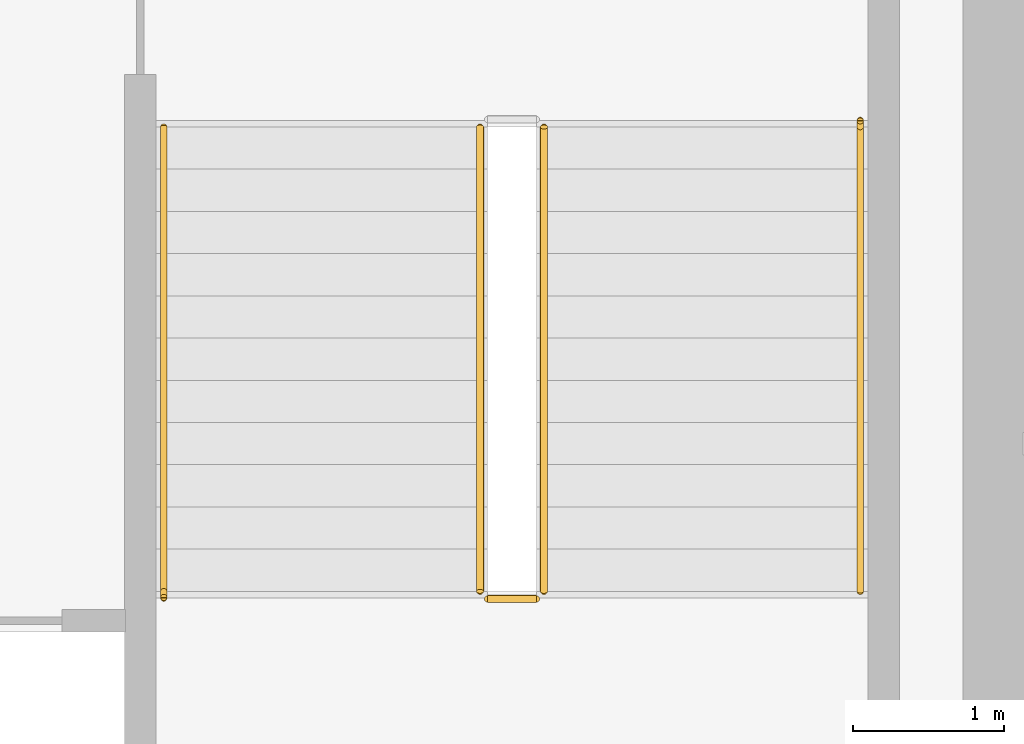
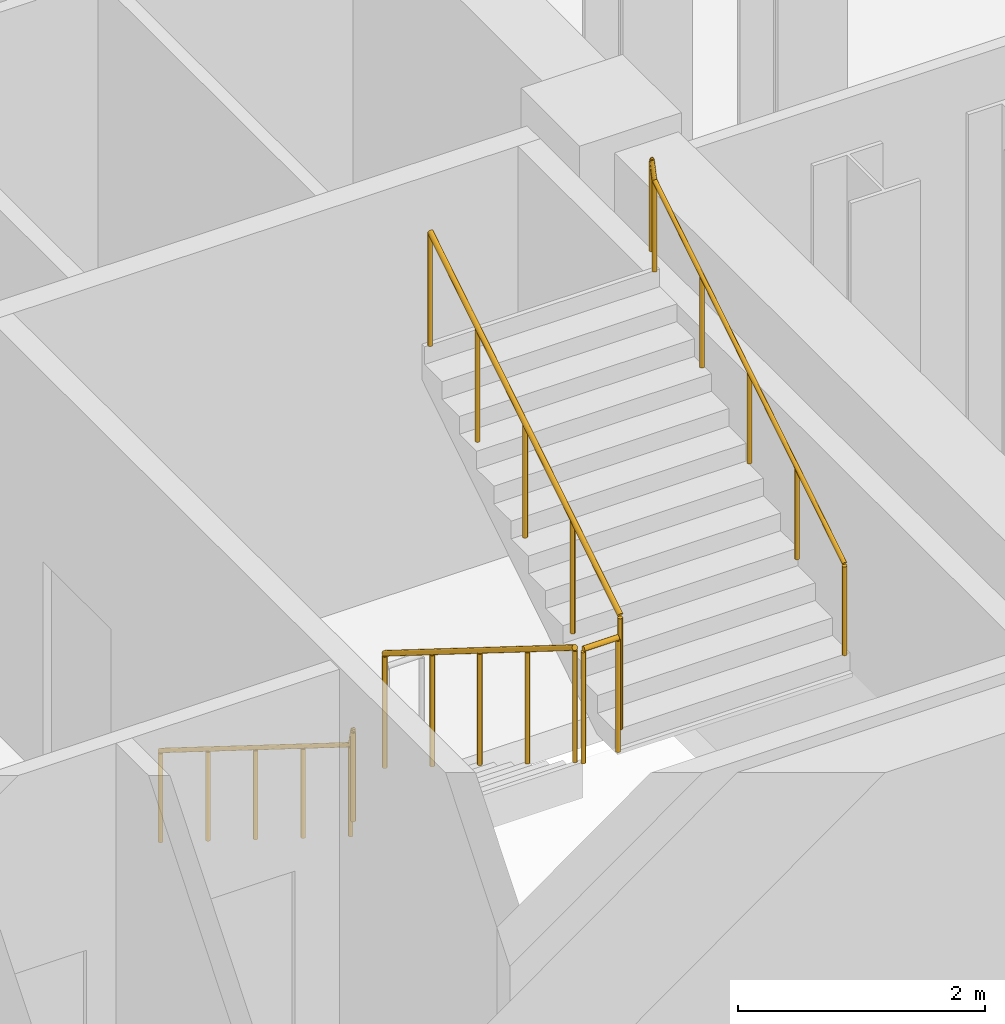
# One storey, part 11 of 14: 5 railings.
"""IFC4 building model written with IfcOpenShell, lengths in metres."""

import ifcopenshell
import ifcopenshell.guid

model = None  # the IFC model being written
_history = None  # IfcOwnerHistory: only IFC2X3 demands one
_inside = {}  # id of a spatial element -> (the spatial element, [elements in it])
_under = {}  # id of a project, library or spatial element -> (it, [spatial elements below it])
_declared = {}  # id of a project -> (the project, [libraries it declares])
_typed = {}  # id of a type object -> (the type object, [elements of that type])
_made_of = {}  # id of a material, layer set ... -> (it, [elements and type objects made of it])


def new_model(schema):
    """Start an empty IFC model of exactly this schema.

    Asked for "IFC4X3", IfcOpenShell would pick the latest addendum, in which some entities
    have other attributes; the version numbers below select the first issue.
    IFC2X3 requires an IfcOwnerHistory on every rooted entity: one is made here for all.
    """
    global model, _history
    if schema == "IFC4X3":
        model = ifcopenshell.file(schema_version=(4, 3, 0, 0))
    else:
        model = ifcopenshell.file(schema=schema)
    _inside.clear()
    _under.clear()
    _declared.clear()
    _typed.clear()
    _made_of.clear()
    _history = None
    if model.schema == "IFC2X3":
        org = make("IfcOrganization", Name="unknown")
        user = make(
            "IfcPersonAndOrganization",
            ThePerson=make("IfcPerson", FamilyName="unknown"),
            TheOrganization=org,
        )
        app = make(
            "IfcApplication",
            ApplicationDeveloper=org,
            Version="unknown",
            ApplicationFullName="unknown",
            ApplicationIdentifier="unknown",
        )
        _history = make(
            "IfcOwnerHistory",
            OwningUser=user,
            OwningApplication=app,
            ChangeAction="ADDED",
            CreationDate=0,
        )
    return model


def make(cls, **values):
    """One entity of the class cls with the attributes given. An attribute that is None is left unset."""
    return model.create_entity(
        cls, **{name: value for name, value in values.items() if value is not None}
    )


def rooted(cls, **values):
    """An entity with a GlobalId (a new one), such as an element, a storey or a relation."""
    return make(cls, GlobalId=ifcopenshell.guid.new(), OwnerHistory=_history, **values)


def si_unit(unit_type, name, prefix=None):
    """IfcSIUnit, for example si_unit("LENGTHUNIT", "METRE", prefix="MILLI")."""
    return make("IfcSIUnit", UnitType=unit_type, Prefix=prefix, Name=name)


def assignment(units):
    """IfcUnitAssignment: the units of a project."""
    return None if units is None else make("IfcUnitAssignment", Units=units)


def point(xyz):
    """IfcCartesianPoint."""
    return None if xyz is None else make("IfcCartesianPoint", Coordinates=xyz)


def direction(xyz):
    """IfcDirection."""
    return None if xyz is None else make("IfcDirection", DirectionRatios=xyz)


def frame(location, z_axis=None, x_axis=None):
    """IfcAxis2Placement3D, a coordinate frame: its origin and axes. An axis left out is left unset."""
    return make(
        "IfcAxis2Placement3D",
        Location=point(location),
        Axis=direction(z_axis),
        RefDirection=direction(x_axis),
    )


def frame_2d(location, x_axis=None):
    """IfcAxis2Placement2D, a coordinate frame in the plane: its origin and x axis."""
    return make(
        "IfcAxis2Placement2D", Location=point(location), RefDirection=direction(x_axis)
    )


def origin():
    """The frame at (0, 0, 0) with its axes left unset."""
    return frame((0.0, 0.0, 0.0))


def origin_2d():
    """The frame at (0, 0) in the plane with its x axis left unset."""
    return frame_2d((0.0, 0.0))


def place(relative_to, where):
    """IfcLocalPlacement: puts the frame where relative to a parent placement (None: the world)."""
    return make(
        "IfcLocalPlacement", PlacementRelTo=relative_to, RelativePlacement=where
    )


def context(
    kind, dimensions, precision=None, world=None, true_north=None, identifier=None
):
    """IfcGeometricRepresentationContext, for example the 3D "Model" context."""
    return make(
        "IfcGeometricRepresentationContext",
        ContextIdentifier=identifier,
        ContextType=kind,
        CoordinateSpaceDimension=dimensions,
        Precision=precision,
        WorldCoordinateSystem=world,
        TrueNorth=true_north,
    )


def subcontext(parent, identifier, kind, view, scale=None):
    """IfcGeometricRepresentationSubContext, for example "Body" below "Model"."""
    return make(
        "IfcGeometricRepresentationSubContext",
        ContextIdentifier=identifier,
        ContextType=kind,
        ParentContext=parent,
        TargetScale=scale,
        TargetView=view,
    )


def project(units=None, contexts=None):
    """IfcProject with its units and contexts."""
    return rooted(
        "IfcProject",
        Name="project",
        RepresentationContexts=contexts,
        UnitsInContext=assignment(units),
    )


def spatial(cls, under=None, at=None, **own):
    """A site, building, storey or space (cls), placed at a placement, below another one or the project."""
    s = rooted(cls, ObjectPlacement=at, **own)
    if under is not None:
        _under.setdefault(under.id(), (under, []))[1].append(s)
    return s


def profile(cls, at=None, kind="AREA", **sizes):
    """A parametric profile (cls). Its sizes go by their IFC names, for example OverallWidth=200.0."""
    return make(cls, ProfileType=kind, Position=at, **sizes)


def circle(**sizes):
    """IfcCircleProfileDef."""
    return profile("IfcCircleProfileDef", **sizes)


def extrude(swept, where, along, depth):
    """IfcExtrudedAreaSolid: the profile swept, set in the frame where, extruded along a direction by depth."""
    return make(
        "IfcExtrudedAreaSolid",
        SweptArea=swept,
        Position=where,
        ExtrudedDirection=direction(along),
        Depth=depth,
    )


def shape(context_of_items, identifier, shape_type, items):
    """IfcShapeRepresentation: the items that make up one representation, for example the "Body"."""
    return make(
        "IfcShapeRepresentation",
        ContextOfItems=context_of_items,
        RepresentationIdentifier=identifier,
        RepresentationType=shape_type,
        Items=items,
    )


def material(Name=None, Category=None):
    """IfcMaterial."""
    return make("IfcMaterial", Name=Name, Category=Category)


def made_of(thing, what):
    """Note that an element or type object is made of a material, layer set ...; save() writes the relation."""
    if what is not None:
        _made_of.setdefault(what.id(), (what, []))[1].append(thing)
    return thing


def type_object(cls, material=None, **own):
    """A type object (cls), such as IfcWallType, which elements share."""
    return made_of(rooted(cls, **own), material)


def element(
    cls,
    number,
    at=None,
    inside=None,
    cuts=None,
    type_object=None,
    material=None,
    context=None,
    identifier="Body",
    shape_type=None,
    held_by="IfcProductDefinitionShape",
    body=None,
    shapes=None,
    **own,
):
    """One element of the class cls, such as IfcWall. Its Tag is "e" and its number.

    at: its placement. inside: the storey or other place that contains it. cuts: it is an
    opening in that element (IfcRelVoidsElement). A single representation is given by context,
    identifier, shape_type and body (its items); several are given by shapes. held_by: the class
    of the entity that holds the representations. save() writes the other relations.
    """
    e = rooted(cls, Tag="e%d" % number, ObjectPlacement=at, **own)
    if body is not None:
        shapes = [shape(context, identifier, shape_type, body)]
    if shapes is not None:
        e.Representation = make(held_by, Representations=shapes)
    if inside is not None:
        _inside.setdefault(inside.id(), (inside, []))[1].append(e)
    if cuts is not None:
        rooted(
            "IfcRelVoidsElement", RelatingBuildingElement=cuts, RelatedOpeningElement=e
        )
    if type_object is not None:
        _typed.setdefault(type_object.id(), (type_object, []))[1].append(e)
    return made_of(e, material)


def aggregate(whole, parts):
    """IfcRelAggregates: a whole, such as a stair, and the parts it consists of."""
    return rooted("IfcRelAggregates", RelatingObject=whole, RelatedObjects=parts)


def save(model, path):
    """Write the relations noted so far, then the file.

    IfcRelAggregates (storeys below a building ...), IfcRelContainedInSpatialStructure (elements
    in a storey), IfcRelDefinesByType, IfcRelAssociatesMaterial and IfcRelDeclares: one each for
    every whole, place, type object, material and project.
    """
    for whole, parts in _under.values():
        aggregate(whole, parts)
    for where, things in _inside.values():
        rooted(
            "IfcRelContainedInSpatialStructure",
            RelatedElements=things,
            RelatingStructure=where,
        )
    for kind, things in _typed.values():
        rooted("IfcRelDefinesByType", RelatedObjects=things, RelatingType=kind)
    for what, things in _made_of.values():
        rooted("IfcRelAssociatesMaterial", RelatedObjects=things, RelatingMaterial=what)
    for by, libraries in _declared.values():
        rooted("IfcRelDeclares", RelatingContext=by, RelatedDefinitions=libraries)
    model.write(path)


model = new_model("IFC4")

# Units and contexts
model_context = context("Model", 3, precision=1e-05, world=origin(), true_north=direction((0.0, 1.0)))
body_context = subcontext(model_context, "Body", "Model", "MODEL_VIEW")
ifc_project = project(units=[si_unit("LENGTHUNIT", "METRE"), si_unit("AREAUNIT", "SQUARE_METRE"), si_unit("VOLUMEUNIT", "CUBIC_METRE"), si_unit("PLANEANGLEUNIT", "RADIAN"), si_unit("MASSUNIT", "GRAM", prefix="KILO")], contexts=[model_context])

# Site, building, storey
site_placement = place(None, origin())
site = spatial("IfcSite", under=ifc_project, at=site_placement, CompositionType="ELEMENT")
building_placement = place(site_placement, origin())
building = spatial("IfcBuilding", under=site, at=building_placement, Name="Velakula Bourse", CompositionType="ELEMENT")
storey_placement = place(building_placement, frame((0.0, 0.0, 116.64990234375)))
storey = spatial("IfcBuildingStorey", under=building, at=storey_placement, Name="L31", CompositionType="ELEMENT", Elevation=116.64990234375)

# Railings
ifc_material = material(Name="Brushed grade 316 stainless steel", Category="steel")
railing_type_1 = type_object("IfcRailingType", Name="RLG-STAIR-GUARD-1150", PredefinedType="BALUSTRADE", material=ifc_material)
railing_1_placement = place(storey_placement, frame((15.248046875, -2.199951171875, 0.175048828125)))
element("IfcRailing", 1, at=railing_1_placement, inside=storey, type_object=railing_type_1, Name="L31 ST-E1 stair guard 1", PredefinedType="BALUSTRADE", context=body_context, shape_type="SweptSolid", body=[
    extrude(circle(Radius=0.02490234375, at=origin_2d()), frame((0.0, 0.0, 1.125), z_axis=(0.0, -0.847998304005, 0.529998940003), x_axis=(1.0, 0.0, 0.0)), (0.0, 0.0, 1.0), 3.632080078125),
    extrude(circle(Radius=0.02099609375, at=origin_2d()), origin(), (0.0, 0.0, 1.0), 1.099853515625),
    extrude(circle(Radius=0.02099609375, at=origin_2d()), frame((0.0, -0.77001953125, 0.481201171875)), (0.0, 0.0, 1.0), 1.099853515625),
    extrude(circle(Radius=0.02099609375, at=origin_2d()), frame((0.0, -1.5400390625, 0.96240234375)), (0.0, 0.0, 1.0), 1.099853515625),
    extrude(circle(Radius=0.02099609375, at=origin_2d()), frame((0.0, -2.31005859375, 1.44384765625)), (0.0, 0.0, 1.0), 1.099853515625),
    extrude(circle(Radius=0.02099609375, at=origin_2d()), frame((0.0, -3.080078125, 1.925048828125)), (0.0, 0.0, 1.0), 1.099853515625),
])
railing_2_placement = place(storey_placement, frame((15.298095703125, -5.330078125, 2.10009765625)))
element("IfcRailing", 2, at=railing_2_placement, inside=storey, type_object=railing_type_1, Name="L31 ST-E1 stair guard 2", PredefinedType="BALUSTRADE", context=body_context, shape_type="SweptSolid", body=[
    extrude(circle(Radius=0.02490234375, at=origin_2d()), frame((0.0, 0.0, 1.125), z_axis=(1.0, 0.0, 0.0), x_axis=(0.0, 1.0, 0.0)), (0.0, 0.0, 1.0), 0.323974609375),
    extrude(circle(Radius=0.02099609375, at=origin_2d()), origin(), (0.0, 0.0, 1.0), 1.099853515625),
    extrude(circle(Radius=0.02099609375, at=origin_2d()), frame((0.323974609375, 0.0, 0.0)), (0.0, 0.0, 1.0), 1.099853515625),
])
railing_3_placement = place(storey_placement, frame((15.672119140625, -5.280029296875, 2.275146484375)))
element("IfcRailing", 3, at=railing_3_placement, inside=storey, type_object=railing_type_1, Name="L31 ST-E1 stair guard 3", PredefinedType="BALUSTRADE", context=body_context, shape_type="SweptSolid", body=[
    extrude(circle(Radius=0.02490234375, at=origin_2d()), frame((0.0, 0.0, 1.125), z_axis=(0.0, 0.847998304005, 0.529998940003), x_axis=(-1.0, 0.0, 0.0)), (0.0, 0.0, 1.0), 3.632080078125),
    extrude(circle(Radius=0.02099609375, at=origin_2d()), origin(), (0.0, 0.0, 1.0), 1.099853515625),
    extrude(circle(Radius=0.02099609375, at=origin_2d()), frame((0.0, 0.77001953125, 0.481201171875)), (0.0, 0.0, 1.0), 1.099853515625),
    extrude(circle(Radius=0.02099609375, at=origin_2d()), frame((0.0, 1.5400390625, 0.96240234375)), (0.0, 0.0, 1.0), 1.099853515625),
    extrude(circle(Radius=0.02099609375, at=origin_2d()), frame((0.0, 2.31005859375, 1.44384765625)), (0.0, 0.0, 1.0), 1.099853515625),
    extrude(circle(Radius=0.02099609375, at=origin_2d()), frame((0.0, 3.080078125, 1.925048828125)), (0.0, 0.0, 1.0), 1.099853515625),
])
railing_type_2 = type_object("IfcRailingType", Name="RLG-STAIR-HAND-920", PredefinedType="HANDRAIL", material=ifc_material)
railing_4_placement = place(storey_placement, frame((13.14990234375, -2.199951171875, 0.175048828125)))
element("IfcRailing", 4, at=railing_4_placement, inside=storey, type_object=railing_type_2, Name="L31 ST-E1 stair handrail 1", PredefinedType="HANDRAIL", context=body_context, shape_type="SweptSolid", body=[
    extrude(circle(Radius=0.02099609375, at=origin_2d()), frame((0.0, 0.0, 0.89892578125), z_axis=(0.0, -0.847998304005, 0.529998940003), x_axis=(1.0, 0.0, 0.0)), (0.0, 0.0, 1.0), 3.632080078125),
    extrude(circle(Radius=0.02099609375, at=origin_2d()), frame((0.0, -3.080078125, 2.823974609375), z_axis=(0.0, -0.222972465624, 0.974824743004), x_axis=(1.0, 0.0, 0.0)), (0.0, 0.0, 1.0), 0.1796875),
    extrude(circle(Radius=0.02099609375, at=origin_2d()), frame((0.0, -3.1201171875, 2.9990234375), z_axis=(0.0, -1.0, 0.0), x_axis=(1.0, 0.0, 0.0)), (0.0, 0.0, 1.0), 0.0048828125),
    extrude(circle(Radius=0.02099609375, at=origin_2d()), origin(), (0.0, 0.0, 1.0), 0.8779296875),
    extrude(circle(Radius=0.02099609375, at=origin_2d()), frame((0.0, -0.77001953125, 0.481201171875)), (0.0, 0.0, 1.0), 0.8779296875),
    extrude(circle(Radius=0.02099609375, at=origin_2d()), frame((0.0, -1.5400390625, 0.96240234375)), (0.0, 0.0, 1.0), 0.8779296875),
    extrude(circle(Radius=0.02099609375, at=origin_2d()), frame((0.0, -2.31005859375, 1.44384765625)), (0.0, 0.0, 1.0), 0.8779296875),
    extrude(circle(Radius=0.02099609375, at=origin_2d()), frame((0.0, -3.080078125, 1.925048828125)), (0.0, 0.0, 1.0), 0.8779296875),
    extrude(circle(Radius=0.02099609375, at=origin_2d()), frame((0.0, -3.1201171875, 2.10009765625)), (0.0, 0.0, 1.0), 0.8779296875),
    extrude(circle(Radius=0.02099609375, at=origin_2d()), frame((0.0, -3.125, 2.10009765625)), (0.0, 0.0, 1.0), 0.8779296875),
])
railing_5_placement = place(storey_placement, frame((17.77001953125, -5.280029296875, 2.275146484375)))
element("IfcRailing", 5, at=railing_5_placement, inside=storey, type_object=railing_type_2, Name="L31 ST-E1 stair handrail 2", PredefinedType="HANDRAIL", context=body_context, shape_type="SweptSolid", body=[
    extrude(circle(Radius=0.02099609375, at=origin_2d()), frame((0.0, 0.0, 0.89892578125), z_axis=(0.0, 0.847998304005, 0.529998940003), x_axis=(-1.0, 0.0, 0.0)), (0.0, 0.0, 1.0), 3.632080078125),
    extrude(circle(Radius=0.02099609375, at=origin_2d()), frame((0.0, 3.080078125, 2.823974609375), z_axis=(0.0, 0.223268366363, 0.974757014123), x_axis=(-1.0, 0.0, 0.0)), (0.0, 0.0, 1.0), 0.179443359375),
    extrude(circle(Radius=0.02099609375, at=origin_2d()), frame((0.0, 3.1201171875, 2.998779296875), z_axis=(0.0, 1.0, 0.0), x_axis=(-1.0, 0.0, 0.0)), (0.0, 0.0, 1.0), 0.0048828125),
    extrude(circle(Radius=0.02099609375, at=origin_2d()), origin(), (0.0, 0.0, 1.0), 0.8779296875),
    extrude(circle(Radius=0.02099609375, at=origin_2d()), frame((0.0, 0.77001953125, 0.481201171875)), (0.0, 0.0, 1.0), 0.8779296875),
    extrude(circle(Radius=0.02099609375, at=origin_2d()), frame((0.0, 1.5400390625, 0.96240234375)), (0.0, 0.0, 1.0), 0.8779296875),
    extrude(circle(Radius=0.02099609375, at=origin_2d()), frame((0.0, 2.31005859375, 1.44384765625)), (0.0, 0.0, 1.0), 0.8779296875),
    extrude(circle(Radius=0.02099609375, at=origin_2d()), frame((0.0, 3.080078125, 1.925048828125)), (0.0, 0.0, 1.0), 0.8779296875),
    extrude(circle(Radius=0.02099609375, at=origin_2d()), frame((0.0, 3.1201171875, 2.099853515625)), (0.0, 0.0, 1.0), 0.8779296875),
    extrude(circle(Radius=0.02099609375, at=origin_2d()), frame((0.0, 3.125, 2.099853515625)), (0.0, 0.0, 1.0), 0.8779296875),
])

save(model, "model.ifc")
